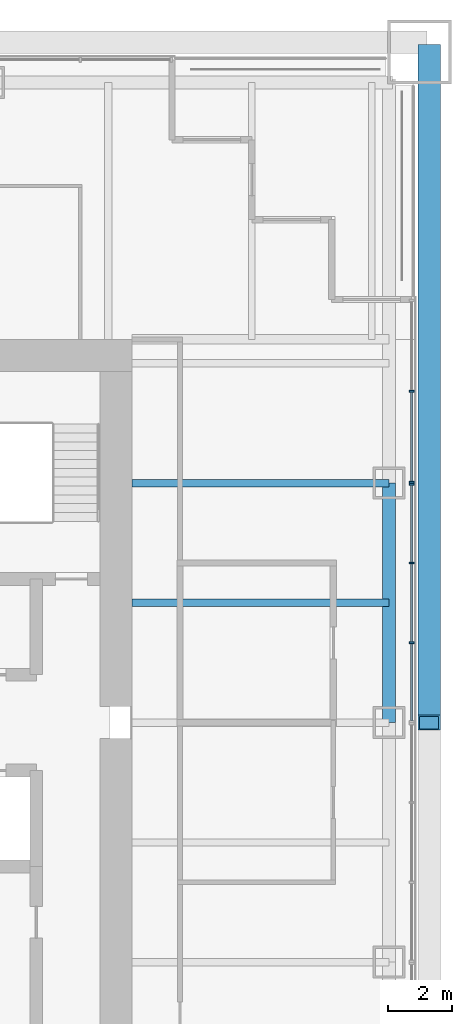
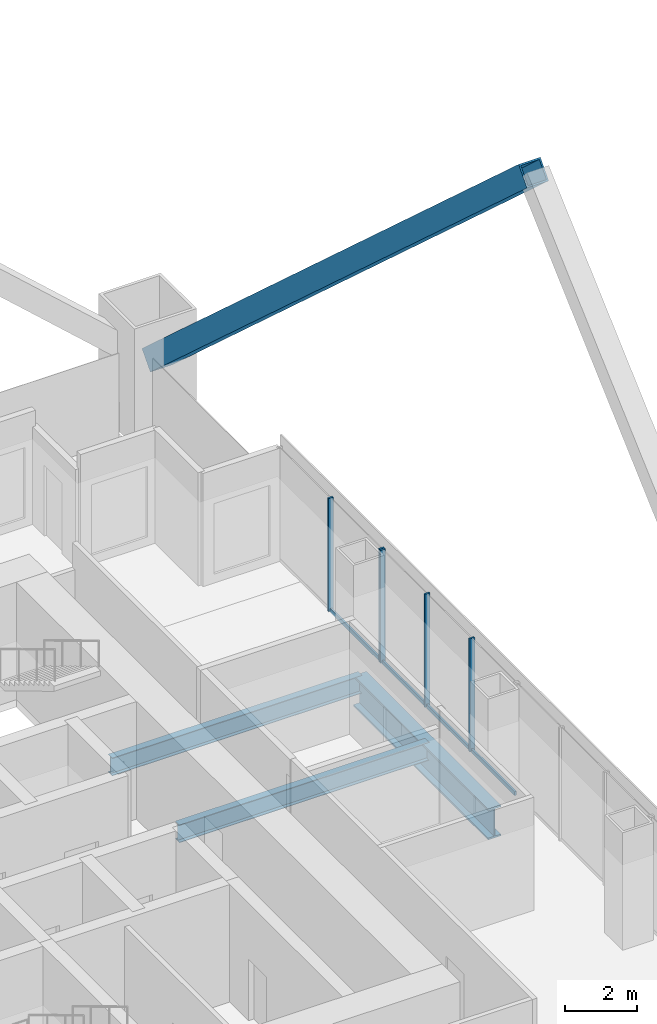
# One storey, part 8 of 18: 10 members, 3 beams, 2 elements without a shape of their own.
"""IFC4 building model written with IfcOpenShell, lengths in metres."""

from ifc_helpers import new_model, si_unit, direction, frame, origin, origin_2d, place, context, subcontext, project, spatial, rectangle, hollow_rectangle, i_section, extrude, material, material_profile, profile_set, type_object, element, aggregate, save


model = new_model("IFC4")

# Units and contexts
model_context = context("Model", 3, precision=1e-05, world=origin(), true_north=direction((0.0, 1.0)))
body_context = subcontext(model_context, "Body", "Model", "MODEL_VIEW")
ifc_project = project(units=[si_unit("LENGTHUNIT", "METRE"), si_unit("AREAUNIT", "SQUARE_METRE"), si_unit("VOLUMEUNIT", "CUBIC_METRE"), si_unit("PLANEANGLEUNIT", "RADIAN"), si_unit("MASSUNIT", "GRAM", prefix="KILO")], contexts=[model_context])

# Site, building, storey
site_placement = place(None, origin())
site = spatial("IfcSite", under=ifc_project, at=site_placement, CompositionType="ELEMENT")
building_placement = place(site_placement, origin())
building = spatial("IfcBuilding", under=site, at=building_placement, Name="Tarangal Relay Tower", CompositionType="ELEMENT")
storey_placement = place(building_placement, frame((0.0, 0.0, 295.89990234375)))
storey = spatial("IfcBuildingStorey", under=building, at=storey_placement, Name="L65", CompositionType="ELEMENT", Elevation=295.89990234375)

# Beams
ifc_material_1 = material(Name="Steel ASTM A992", Category="steel")
ifc_material_profile_1 = material_profile(ifc_material_1, i_section(OverallWidth=0.41162109375, OverallDepth=1.049072265625, WebThickness=0.033935546875, FlangeThickness=0.059814453125, at=origin_2d()), Name="W40X431")
ifc_profile_set_1 = profile_set([ifc_material_profile_1], Name="Steel ASTM A992")
beam_type_1 = type_object("IfcBeamType", Name="Edge girder W40X431", PredefinedType="SPANDREL", material=ifc_profile_set_1)
beam_placement = place(storey_placement, frame((20.0400390625, 7.5, -0.67431640625), z_axis=(0.0, -1.0, 0.0), x_axis=(1.0, 0.0, 0.0)))
element("IfcBeam", 1, at=beam_placement, inside=storey, type_object=beam_type_1, Name="Edge girder EG1 E L65", PredefinedType="SPANDREL", context=body_context, shape_type="SweptSolid", body=[
    extrude(i_section(OverallWidth=0.41162109375, OverallDepth=1.049072265625, WebThickness=0.033935546875, FlangeThickness=0.059814453125, at=origin_2d()), origin(), (0.0, 0.0, 1.0), 7.5),
])
ifc_material_profile_2 = material_profile(ifc_material_1, i_section(OverallWidth=0.228271484375, OverallDepth=0.607177734375, WebThickness=0.01123046875, FlangeThickness=0.017333984375, at=origin_2d()), Name="W24X76")
ifc_profile_set_2 = profile_set([ifc_material_profile_2], Name="Steel ASTM A992")
beam_type_2 = type_object("IfcBeamType", Name="Floor beam W24X76", PredefinedType="BEAM", material=ifc_profile_set_2)
for number, where, z_axis, x_axis, name in (
    (2, (12.0, 7.5, -0.453369140625), (1.0, 0.0, 0.0), (0.0, 1.0, 0.0), "Floor beam RB5 E L65"),
    (3, (12.0, 3.75, -0.453369140625), (1.0, 0.0, 0.0), (0.0, 1.0, 0.0), "Floor beam RB5 E L65"),
):
    element("IfcBeam", number, at=place(storey_placement, frame(where, z_axis=z_axis, x_axis=x_axis)), inside=storey, type_object=beam_type_2, Name=name, PredefinedType="BEAM", context=body_context, shape_type="SweptSolid", body=[
        extrude(i_section(OverallWidth=0.228271484375, OverallDepth=0.607177734375, WebThickness=0.01123046875, FlangeThickness=0.017333984375, at=origin_2d()), origin(), (0.0, 0.0, 1.0), 8.0400390625),
    ])

# Member
ifc_material_2 = material(Name="Steel ASTM A572 Grade 50", Category="steel")
ifc_material_profile_3 = material_profile(ifc_material_2, hollow_rectangle(XDim=0.699951171875, YDim=0.699951171875, WallThickness=0.052001953125, at=origin_2d()), Name="BOX700X700X52")
ifc_profile_set_3 = profile_set([ifc_material_profile_3], Name="Steel ASTM A572 Grade 50")
member_type_1 = type_object("IfcMemberType", Name="Mega brace BOX700X700X52", PredefinedType="BRACE", material=ifc_profile_set_3)
member_1_placement = place(storey_placement, frame((21.300048828125, 21.0, 2.0), z_axis=(0.0, -0.741535779124, 0.670913323969), x_axis=(1.0, 0.0, 0.0)))
element("IfcMember", 4, at=member_1_placement, inside=storey, type_object=member_type_1, Name="Mega brace MB4 E face module 2", PredefinedType="BRACE", context=body_context, shape_type="SweptSolid", body=[
    extrude(hollow_rectangle(XDim=0.699951171875, YDim=0.699951171875, WallThickness=0.052001953125, at=origin_2d()), origin(), (0.0, 0.0, 1.0), 28.319580078125),
])

# Curtain wall, members
ifc_material_3 = material(Name="Unitised curtain wall, dark glass and black aluminium", Category="aluminium")
curtain_wall_type = type_object("IfcCurtainWallType", Name="Curtain wall CW-B", PredefinedType="USERDEFINED", material=ifc_material_3)
curtain_wall_1_placement = place(storey_placement, origin())
curtain_wall_1 = element("IfcCurtainWall", 5, at=curtain_wall_1_placement, inside=storey, type_object=curtain_wall_type, Name="Curtain wall CW-B E facade L65", ObjectType="UNITISED CURTAIN WALL", PredefinedType="USERDEFINED")
ifc_material_4 = material(Name="Black anodised aluminium mullion", Category="aluminium")
ifc_material_profile_4 = material_profile(ifc_material_4, rectangle(XDim=0.159912109375, YDim=0.06005859375, at=origin_2d()), Name="CW-BM 60X160")
ifc_profile_set_4 = profile_set([ifc_material_profile_4], Name="Black anodised aluminium mullion")
member_type_2 = type_object("IfcMemberType", Name="Mullion CW-B 60 x 160", PredefinedType="MULLION", material=ifc_profile_set_4)
member_2_placement = place(storey_placement, frame((20.75, 10.375, 0.0), z_axis=(0.0, 0.0, 1.0), x_axis=(1.0, 0.0, 0.0)))
member_2 = element("IfcMember", 6, at=member_2_placement, type_object=member_type_2, Name="CW-B mullion 2", PredefinedType="MULLION", context=body_context, shape_type="SweptSolid", body=[
    extrude(rectangle(XDim=0.159912109375, YDim=0.06005859375, at=origin_2d()), origin(), (0.0, 0.0, 1.0), 3.85009765625),
])
member_3_placement = place(storey_placement, frame((20.75, 7.530029296875, 0.0), z_axis=(0.0, 0.0, 1.0), x_axis=(1.0, 0.0, 0.0)))
member_3 = element("IfcMember", 7, at=member_3_placement, type_object=member_type_2, Name="CW-B mullion 3", PredefinedType="MULLION", context=body_context, shape_type="SweptSolid", body=[
    extrude(rectangle(XDim=0.159912109375, YDim=0.06005859375, at=origin_2d()), origin(), (0.0, 0.0, 1.0), 3.85009765625),
])

curtain_wall_2_placement = place(storey_placement, origin())
curtain_wall_2 = element("IfcCurtainWall", 8, at=curtain_wall_2_placement, inside=storey, type_object=curtain_wall_type, Name="Curtain wall CW-B E facade L65", ObjectType="UNITISED CURTAIN WALL", PredefinedType="USERDEFINED")
member_4_placement = place(storey_placement, frame((20.75, 7.469970703125, 0.0), z_axis=(0.0, 0.0, 1.0), x_axis=(1.0, 0.0, 0.0)))
member_4 = element("IfcMember", 9, at=member_4_placement, type_object=member_type_2, Name="CW-B mullion 1", PredefinedType="MULLION", context=body_context, shape_type="SweptSolid", body=[
    extrude(rectangle(XDim=0.159912109375, YDim=0.06005859375, at=origin_2d()), origin(), (0.0, 0.0, 1.0), 3.85009765625),
])
member_5_placement = place(storey_placement, frame((20.75, 5.0, 0.0), z_axis=(0.0, 0.0, 1.0), x_axis=(1.0, 0.0, 0.0)))
member_5 = element("IfcMember", 10, at=member_5_placement, type_object=member_type_2, Name="CW-B mullion 2", PredefinedType="MULLION", context=body_context, shape_type="SweptSolid", body=[
    extrude(rectangle(XDim=0.159912109375, YDim=0.06005859375, at=origin_2d()), origin(), (0.0, 0.0, 1.0), 3.85009765625),
])
member_6_placement = place(storey_placement, frame((20.75, 2.5, 0.0), z_axis=(0.0, 0.0, 1.0), x_axis=(1.0, 0.0, 0.0)))
member_6 = element("IfcMember", 11, at=member_6_placement, type_object=member_type_2, Name="CW-B mullion 3", PredefinedType="MULLION", context=body_context, shape_type="SweptSolid", body=[
    extrude(rectangle(XDim=0.159912109375, YDim=0.06005859375, at=origin_2d()), origin(), (0.0, 0.0, 1.0), 3.85009765625),
])

# Member
ifc_material_5 = material(Name="Black anodised aluminium transom", Category="aluminium")
ifc_material_profile_5 = material_profile(ifc_material_5, rectangle(XDim=0.06005859375, YDim=0.1298828125, at=origin_2d()), Name="CW-BT 60X130")
ifc_profile_set_5 = profile_set([ifc_material_profile_5], Name="Black anodised aluminium transom")
member_type_3 = type_object("IfcMemberType", Name="Transom CW-B 60 x 130", PredefinedType="USERDEFINED", material=ifc_profile_set_5)
member_7_placement = place(storey_placement, frame((20.75, 10.344970703125, 0.030029296875), z_axis=(0.0, -1.0, 0.0), x_axis=(1.0, 0.0, 0.0)))
member_7 = element("IfcMember", 12, at=member_7_placement, type_object=member_type_3, Name="CW-B transom 2.1", ObjectType="TRANSOM", PredefinedType="USERDEFINED", context=body_context, shape_type="SweptSolid", body=[
    extrude(rectangle(XDim=0.06005859375, YDim=0.1298828125, at=origin_2d()), origin(), (0.0, 0.0, 1.0), 2.784912109375),
])

aggregate(curtain_wall_1, [member_2, member_3, member_7])

member_8_placement = place(storey_placement, frame((20.75, 7.43994140625, 0.030029296875), z_axis=(0.0, -1.0, 0.0), x_axis=(1.0, 0.0, 0.0)))
member_8 = element("IfcMember", 13, at=member_8_placement, type_object=member_type_3, Name="CW-B transom 1.1", ObjectType="TRANSOM", PredefinedType="USERDEFINED", context=body_context, shape_type="SweptSolid", body=[
    extrude(rectangle(XDim=0.06005859375, YDim=0.1298828125, at=origin_2d()), origin(), (0.0, 0.0, 1.0), 2.409912109375),
])

member_9_placement = place(storey_placement, frame((20.75, 4.969970703125, 0.030029296875), z_axis=(0.0, -1.0, 0.0), x_axis=(1.0, 0.0, 0.0)))
member_9 = element("IfcMember", 14, at=member_9_placement, type_object=member_type_3, Name="CW-B transom 2.1", ObjectType="TRANSOM", PredefinedType="USERDEFINED", context=body_context, shape_type="SweptSolid", body=[
    extrude(rectangle(XDim=0.06005859375, YDim=0.1298828125, at=origin_2d()), origin(), (0.0, 0.0, 1.0), 2.43994140625),
])

member_10_placement = place(storey_placement, frame((20.75, 2.469970703125, 0.030029296875), z_axis=(0.0, -1.0, 0.0), x_axis=(1.0, 0.0, 0.0)))
member_10 = element("IfcMember", 15, at=member_10_placement, type_object=member_type_3, Name="CW-B transom 3.1", ObjectType="TRANSOM", PredefinedType="USERDEFINED", context=body_context, shape_type="SweptSolid", body=[
    extrude(rectangle(XDim=0.06005859375, YDim=0.1298828125, at=origin_2d()), origin(), (0.0, 0.0, 1.0), 2.409912109375),
])

aggregate(curtain_wall_2, [member_4, member_5, member_6, member_8, member_9, member_10])

save(model, "model.ifc")
